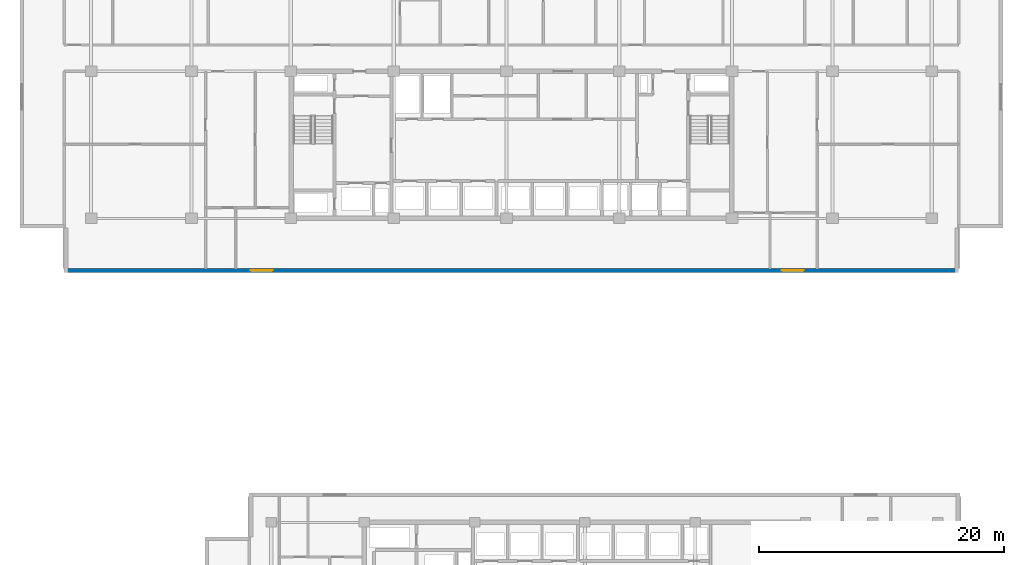
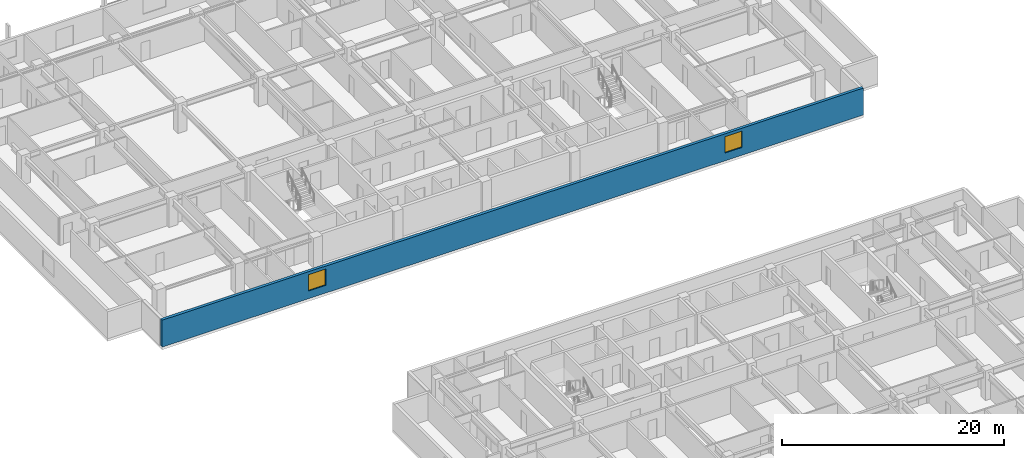
# One storey, part 9 of 22: 2 windows, 1 wall, 2 openings.
"""IFC4 building model written with IfcOpenShell, lengths in metres."""

from ifc_helpers import new_model, si_unit, direction, frame, frame_2d, origin, place, context, subcontext, project, spatial, rectangle, extrude, material, layer, layer_set, type_object, element, fill, save


model = new_model("IFC4")

# Units and contexts
model_context = context("Model", 3, precision=1e-05, world=origin(), true_north=direction((0.0, 1.0)))
body_context = subcontext(model_context, "Body", "Model", "MODEL_VIEW")
ifc_project = project(units=[si_unit("LENGTHUNIT", "METRE"), si_unit("AREAUNIT", "SQUARE_METRE"), si_unit("VOLUMEUNIT", "CUBIC_METRE"), si_unit("PLANEANGLEUNIT", "RADIAN"), si_unit("MASSUNIT", "GRAM", prefix="KILO")], contexts=[model_context])

# Site, building, storey
site_placement = place(None, origin())
site = spatial("IfcSite", under=ifc_project, at=site_placement, CompositionType="ELEMENT")
building_placement = place(site_placement, origin())
building = spatial("IfcBuilding", under=site, at=building_placement, Name="Korimba Cascade Residences", CompositionType="ELEMENT")
storey_placement = place(building_placement, frame((0.0, 0.0, 84.050048828125)))
storey = spatial("IfcBuildingStorey", under=building, at=storey_placement, Name="L23", CompositionType="ELEMENT", Elevation=84.050048828125)

# Wall, openings, windows
ifc_material_1 = material(Name="Precast concrete C40/50", Category="concrete")
ifc_layer = layer(ifc_material_1, 0.300048828125)
ifc_layer_set = layer_set([ifc_layer], Name="Precast concrete C40/50")
wall_type = type_object("IfcWallType", Name="EW-STONE-300", PredefinedType="STANDARD", material=ifc_layer_set)
wall_placement = place(storey_placement, frame((57.60009765625, 50.949951171875, 0.0), z_axis=(0.0, 0.0, 1.0), x_axis=(1.0, 0.0, 0.0)))
wall = element("IfcWall", 1, at=wall_placement, inside=storey, type_object=wall_type, Name="L23 T1 Perimeter Stone Wall E00", PredefinedType="STANDARD", context=body_context, shape_type="SweptSolid", body=[
    extrude(rectangle(XDim=73.0, YDim=0.300048828125, at=frame_2d((36.5, 0.0))), origin(), (0.0, 0.0, 1.0), 2.969970703125),
])
opening_1_placement = place(wall_placement, frame((15.22509765625, 0.0, 0.85009765625)))
opening_1 = element("IfcOpeningElement", 2, at=opening_1_placement, cuts=wall, Name="Opening W-02", PredefinedType="OPENING", context=body_context, shape_type="SweptSolid", body=[
    extrude(rectangle(XDim=1.800048828125, YDim=1.800048828125, at=frame_2d((0.89990234375, 0.89990234375))), frame((0.0, 0.16015625, 0.0), z_axis=(0.0, -1.0, 0.0), x_axis=(1.0, 0.0, 0.0)), (0.0, 0.0, 1.0), 0.320068359375),
])
opening_2_placement = place(wall_placement, frame((58.574951171875, 0.0, 0.85009765625)))
opening_2 = element("IfcOpeningElement", 3, at=opening_2_placement, cuts=wall, Name="Opening W-02", PredefinedType="OPENING", context=body_context, shape_type="SweptSolid", body=[
    extrude(rectangle(XDim=1.800048828125, YDim=1.800048828125, at=frame_2d((0.89990234375, 0.89990234375))), frame((0.0, 0.16015625, 0.0), z_axis=(0.0, -1.0, 0.0), x_axis=(1.0, 0.0, 0.0)), (0.0, 0.0, 1.0), 0.320068359375),
])
ifc_material_2 = material(Name="Double-Glazed Aluminium Window", Category="aluminium")
window_type = type_object("IfcWindowType", Name="WIN-BED-1800", PartitioningType="SINGLE_PANEL", PredefinedType="WINDOW", material=ifc_material_2)
window_1_placement = place(opening_1_placement, origin())
window_1 = element("IfcWindow", 4, at=window_1_placement, inside=storey, type_object=window_type, Name="L23 T1 South Corner Bedroom Window 1", OverallHeight=1.800048828125, OverallWidth=1.800048828125, PartitioningType="SINGLE_PANEL", PredefinedType="WINDOW", context=body_context, shape_type="SweptSolid", body=[
    extrude(rectangle(XDim=1.800048828125, YDim=1.800048828125, at=frame_2d((0.89990234375, 0.89990234375))), frame((0.0, 0.030029296875, 0.0), z_axis=(0.0, -1.0, 0.0), x_axis=(1.0, 0.0, 0.0)), (0.0, 0.0, 1.0), 0.06005859375),
])
fill(opening_1, window_1)
window_2_placement = place(opening_2_placement, origin())
window_2 = element("IfcWindow", 5, at=window_2_placement, inside=storey, type_object=window_type, Name="L23 T1 South Corner Bedroom Window 2", OverallHeight=1.800048828125, OverallWidth=1.800048828125, PartitioningType="SINGLE_PANEL", PredefinedType="WINDOW", context=body_context, shape_type="SweptSolid", body=[
    extrude(rectangle(XDim=1.800048828125, YDim=1.800048828125, at=frame_2d((0.89990234375, 0.89990234375))), frame((0.0, 0.030029296875, 0.0), z_axis=(0.0, -1.0, 0.0), x_axis=(1.0, 0.0, 0.0)), (0.0, 0.0, 1.0), 0.06005859375),
])
fill(opening_2, window_2)

save(model, "model.ifc")
